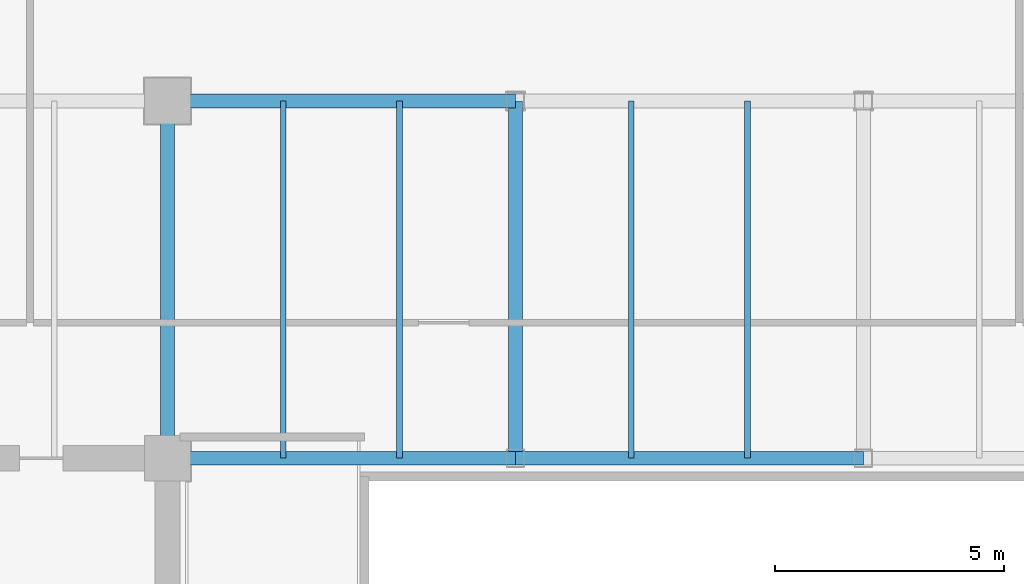
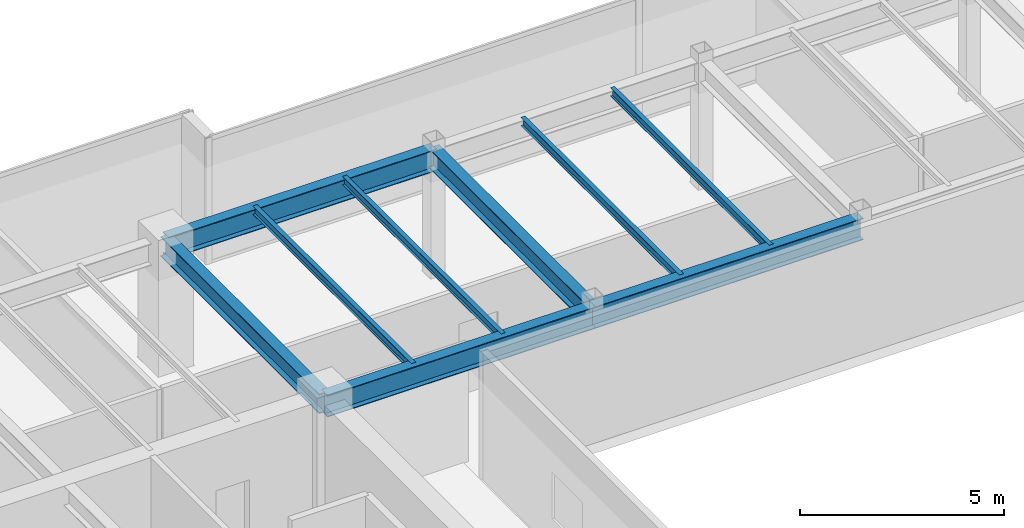
# One storey, part 16 of 35: 9 beams.
"""IFC4 building model written with IfcOpenShell, lengths in metres."""

from ifc_helpers import new_model, si_unit, direction, frame, origin, origin_2d, place, context, subcontext, project, spatial, i_section, extrude, source, transform, mapped, material, material_profile, profile_set, type_object, type_shapes, element, save


model = new_model("IFC4")

# Units and contexts
model_context = context("Model", 3, precision=1e-05, world=origin(), true_north=direction((0.0, 1.0)))
body_context = subcontext(model_context, "Body", "Model", "MODEL_VIEW")
ifc_project = project(units=[si_unit("LENGTHUNIT", "METRE"), si_unit("AREAUNIT", "SQUARE_METRE"), si_unit("VOLUMEUNIT", "CUBIC_METRE"), si_unit("PLANEANGLEUNIT", "RADIAN"), si_unit("MASSUNIT", "GRAM", prefix="KILO")], contexts=[model_context])

# Site, building, storey
site_placement = place(None, origin())
site = spatial("IfcSite", under=ifc_project, at=site_placement, CompositionType="ELEMENT")
building_placement = place(site_placement, origin())
building = spatial("IfcBuilding", under=site, at=building_placement, Name="Haelvirn Gate Laboratories", CompositionType="ELEMENT")
storey_placement = place(building_placement, frame((0.0, 0.0, 283.39990234375)))
storey = spatial("IfcBuildingStorey", under=building, at=storey_placement, Name="L68", CompositionType="ELEMENT", Elevation=283.39990234375)

# Beams
ifc_material = material(Name="Steel SM355", Category="steel")
ifc_material_profile_1 = material_profile(ifc_material, i_section(OverallWidth=0.300048828125, OverallDepth=0.587890625, WebThickness=0.011962890625, FlangeThickness=0.02001953125, at=origin_2d()), Name="H-588x300x12x20")
ifc_profile_set_1 = profile_set([ifc_material_profile_1], Name="Steel SM355")
beam_type_1 = type_object("IfcBeamType", Name="BM-G-588", PredefinedType="BEAM", material=ifc_profile_set_1)
shared_shape_1 = source(origin(), body_context, "Body", "SweptSolid", [
    extrude(i_section(OverallWidth=0.300048828125, OverallDepth=0.587890625, WebThickness=0.011962890625, FlangeThickness=0.02001953125, at=origin_2d()), origin(), (0.0, 0.0, 1.0), 7.800048828125),
])
type_shapes(beam_type_1, [shared_shape_1])
for number, where, z_axis, x_axis, name in (
    (1, (22.199951171875, 33.800048828125, 3.506103515625), (0.0, 1.0, 0.0), (-1.0, 0.0, 0.0), "L68 Frame Girder X22.2 (33.8-41.6)"),
    (2, (29.800048828125, 33.800048828125, 3.506103515625), (0.0, 1.0, 0.0), (-1.0, 0.0, 0.0), "L68 Frame Girder X29.8 (33.8-41.6)"),
):
    element("IfcBeam", number, at=place(storey_placement, frame(where, z_axis=z_axis, x_axis=x_axis)), inside=storey, type_object=beam_type_1, Name=name, PredefinedType="BEAM", context=body_context, shape_type="MappedRepresentation", body=[
        mapped(shared_shape_1, transform((0.0, 0.0, 0.0), scale=1.0)),
    ])
ifc_material_profile_2 = material_profile(ifc_material, i_section(OverallWidth=0.300048828125, OverallDepth=0.64990234375, WebThickness=0.012939453125, FlangeThickness=0.02197265625, at=origin_2d()), Name="H-650x300x13x22")
ifc_profile_set_2 = profile_set([ifc_material_profile_2], Name="Steel SM355")
beam_type_2 = type_object("IfcBeamType", Name="BM-G-650", PredefinedType="BEAM", material=ifc_profile_set_2)
shared_shape_2 = source(origin(), body_context, "Body", "SweptSolid", [
    extrude(i_section(OverallWidth=0.300048828125, OverallDepth=0.64990234375, WebThickness=0.012939453125, FlangeThickness=0.02197265625, at=origin_2d()), origin(), (0.0, 0.0, 1.0), 7.60009765625),
])
for number, where, z_axis, x_axis, name in (
    (3, (22.199951171875, 33.800048828125, 3.47509765625), (1.0, 0.0, 0.0), (0.0, 1.0, 0.0), "L68 Primary Girder Y33.8 (22.2-29.8)"),
    (4, (22.199951171875, 41.60009765625, 3.47509765625), (1.0, 0.0, 0.0), (0.0, 1.0, 0.0), "L68 Primary Girder Y41.6 (22.2-29.8)"),
):
    element("IfcBeam", number, at=place(storey_placement, frame(where, z_axis=z_axis, x_axis=x_axis)), inside=storey, type_object=beam_type_2, Name=name, PredefinedType="BEAM", context=body_context, shape_type="MappedRepresentation", body=[
        mapped(shared_shape_2, transform((0.0, 0.0, 0.0), scale=1.0)),
    ])
shared_shape_3 = source(origin(), body_context, "Body", "SweptSolid", [
    extrude(i_section(OverallWidth=0.300048828125, OverallDepth=0.64990234375, WebThickness=0.012939453125, FlangeThickness=0.02197265625, at=origin_2d()), origin(), (0.0, 0.0, 1.0), 7.599853515625),
])
type_shapes(beam_type_2, [shared_shape_2, shared_shape_3])
beam_placement = place(storey_placement, frame((29.800048828125, 33.800048828125, 3.47509765625), z_axis=(1.0, 0.0, 0.0), x_axis=(0.0, 1.0, 0.0)))
element("IfcBeam", 5, at=beam_placement, inside=storey, type_object=beam_type_2, Name="L68 Primary Girder Y33.8 (29.8-37.4)", PredefinedType="BEAM", context=body_context, shape_type="MappedRepresentation", body=[
    mapped(shared_shape_3, transform((0.0, 0.0, 0.0), scale=1.0)),
])
ifc_material_profile_3 = material_profile(ifc_material, i_section(OverallWidth=0.125, OverallDepth=0.25, WebThickness=0.006103515625, FlangeThickness=0.009033203125, at=origin_2d()), Name="H-250x125x6x9")
ifc_profile_set_3 = profile_set([ifc_material_profile_3], Name="Steel SM355")
beam_type_3 = type_object("IfcBeamType", Name="BM-J-250", PredefinedType="JOIST", material=ifc_profile_set_3)
shared_shape_4 = source(origin(), body_context, "Body", "SweptSolid", [
    extrude(i_section(OverallWidth=0.125, OverallDepth=0.25, WebThickness=0.006103515625, FlangeThickness=0.009033203125, at=origin_2d()), origin(), (0.0, 0.0, 1.0), 7.800048828125),
])
type_shapes(beam_type_3, [shared_shape_4])
for number, where, z_axis, x_axis, name in (
    (6, (24.72998046875, 33.800048828125, 3.675048828125), (0.0, 1.0, 0.0), (-1.0, 0.0, 0.0), "L68 Composite Lab Joist North X24.73"),
    (7, (27.27001953125, 33.800048828125, 3.675048828125), (0.0, 1.0, 0.0), (-1.0, 0.0, 0.0), "L68 Composite Lab Joist North X27.27"),
    (8, (32.330078125, 33.800048828125, 3.675048828125), (0.0, 1.0, 0.0), (-1.0, 0.0, 0.0), "L68 Composite Lab Joist North X32.33"),
    (9, (34.8701171875, 33.800048828125, 3.675048828125), (0.0, 1.0, 0.0), (-1.0, 0.0, 0.0), "L68 Composite Lab Joist North X34.87"),
):
    element("IfcBeam", number, at=place(storey_placement, frame(where, z_axis=z_axis, x_axis=x_axis)), inside=storey, type_object=beam_type_3, Name=name, PredefinedType="JOIST", context=body_context, shape_type="MappedRepresentation", body=[
        mapped(shared_shape_4, transform((0.0, 0.0, 0.0), scale=1.0)),
    ])

save(model, "model.ifc")
